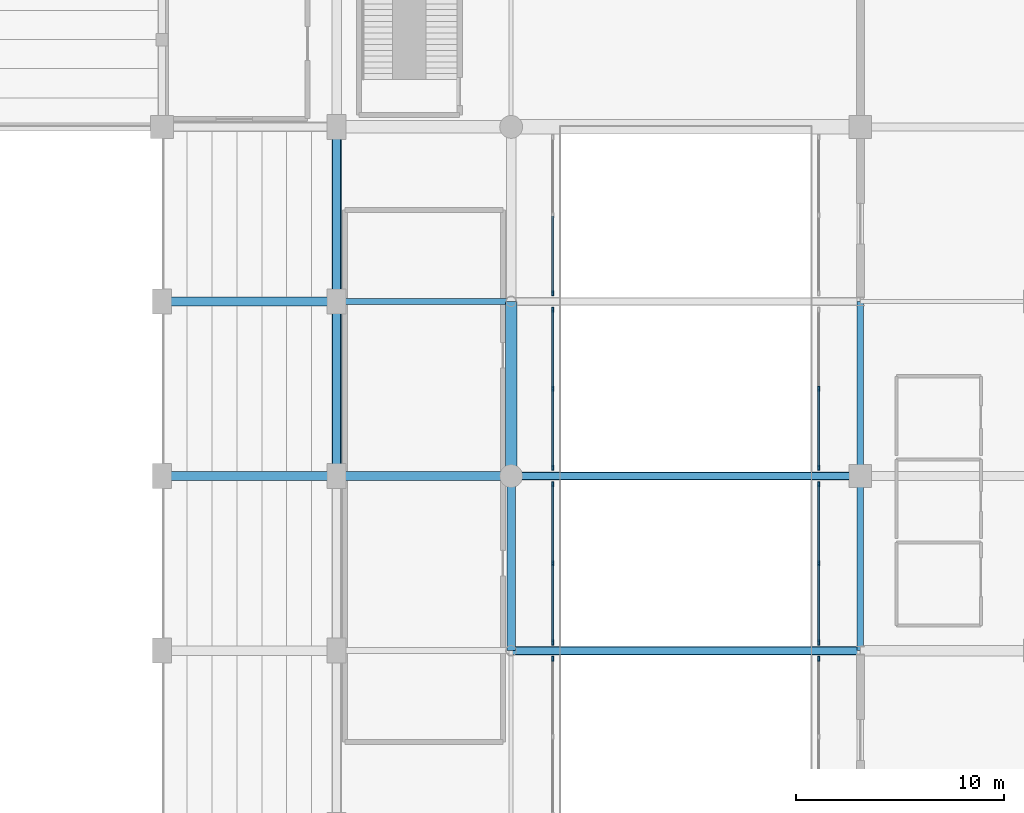
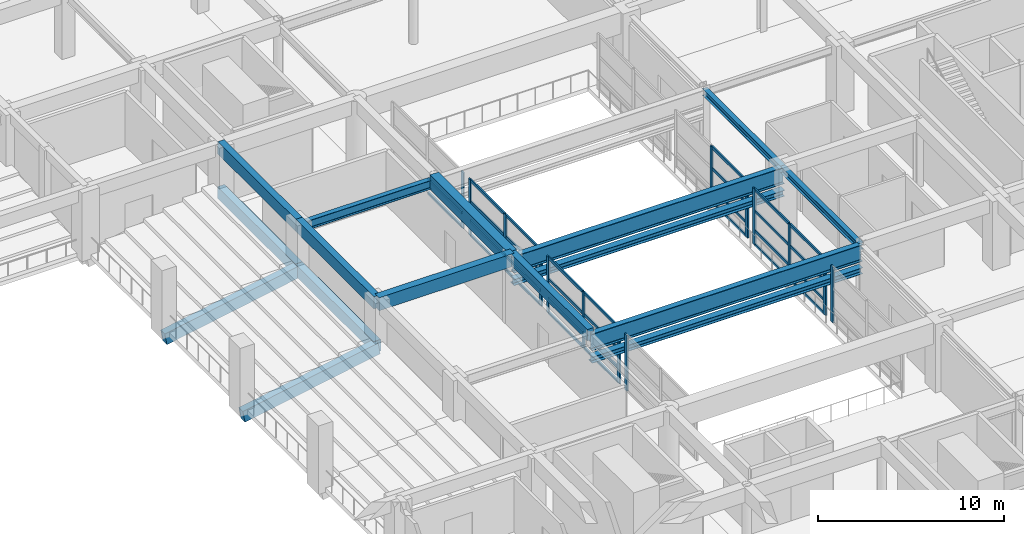
# One storey, part 25 of 62: 46 members, 14 beams, 7 elements without a shape of their own.
"""IFC4 building model written with IfcOpenShell, lengths in metres."""

from ifc_helpers import new_model, si_unit, direction, frame, origin, origin_2d, place, context, subcontext, project, spatial, rectangle, i_section, extrude, material, material_profile, profile_set, type_object, element, aggregate, save


model = new_model("IFC4")

# Units and contexts
model_context = context("Model", 3, precision=1e-05, world=origin(), true_north=direction((0.0, 1.0)))
body_context = subcontext(model_context, "Body", "Model", "MODEL_VIEW")
ifc_project = project(units=[si_unit("LENGTHUNIT", "METRE"), si_unit("AREAUNIT", "SQUARE_METRE"), si_unit("VOLUMEUNIT", "CUBIC_METRE"), si_unit("PLANEANGLEUNIT", "RADIAN"), si_unit("MASSUNIT", "GRAM", prefix="KILO")], contexts=[model_context])

# Site, building, storey
site_placement = place(None, origin())
site = spatial("IfcSite", under=ifc_project, at=site_placement, CompositionType="ELEMENT")
building_placement = place(site_placement, origin())
building = spatial("IfcBuilding", under=site, at=building_placement, Name="Xuanlan Plaza Opera House", CompositionType="ELEMENT")
storey_placement = place(building_placement, frame((0.0, 0.0, 14.39990234375)))
storey = spatial("IfcBuildingStorey", under=building, at=storey_placement, Name="L03", CompositionType="ELEMENT", Elevation=14.39990234375)

# Curtain wall, member
ifc_material_1 = material(Name="Anodised Aluminium 6063-T6 and Low-E Glass", Category="aluminium")
curtain_wall_type = type_object("IfcCurtainWallType", Name="ENV-CW-CW-06", PredefinedType="USERDEFINED", material=ifc_material_1)
curtain_wall_1_placement = place(storey_placement, origin())
curtain_wall_1 = element("IfcCurtainWall", 1, at=curtain_wall_1_placement, inside=storey, type_object=curtain_wall_type, Name="Acoustic Glazed Wall ATR-L03-11", ObjectType="ACOUSTIC GLAZED WALL", PredefinedType="USERDEFINED")
ifc_material_2 = material(Name="Anodised Aluminium 6063-T6", Category="aluminium")
ifc_material_profile_1 = material_profile(ifc_material_2, rectangle(XDim=0.090087890625, YDim=0.25, at=origin_2d()), Name="ALU-M 90x250")
ifc_profile_set_1 = profile_set([ifc_material_profile_1], Name="Anodised Aluminium 6063-T6")
member_type_1 = type_object("IfcMemberType", Name="ENV-CWM-05", PredefinedType="MULLION", material=ifc_profile_set_1)
member_1_placement = place(storey_placement, frame((111.199951171875, 50.0048828125, 0.0), z_axis=(0.0, 0.0, 1.0), x_axis=(-1.0, 0.0, 0.0)))
member_1 = element("IfcMember", 2, at=member_1_placement, type_object=member_type_1, Name="CW-06 mullion 3", PredefinedType="MULLION", context=body_context, shape_type="SweptSolid", body=[
    extrude(rectangle(XDim=0.090087890625, YDim=0.25, at=origin_2d()), origin(), (0.0, 0.0, 1.0), 3.68017578125),
])
aggregate(curtain_wall_1, [member_1])

# Curtain wall, members
curtain_wall_2_placement = place(storey_placement, origin())
curtain_wall_2 = element("IfcCurtainWall", 3, at=curtain_wall_2_placement, inside=storey, type_object=curtain_wall_type, Name="Acoustic Glazed Wall ATR-L03-12", ObjectType="ACOUSTIC GLAZED WALL", PredefinedType="USERDEFINED")
member_2_placement = place(storey_placement, frame((111.199951171875, 50.794921875, 0.0), z_axis=(0.0, 0.0, 1.0), x_axis=(-1.0, 0.0, 0.0)))
member_2 = element("IfcMember", 4, at=member_2_placement, type_object=member_type_1, Name="CW-06 mullion 1", PredefinedType="MULLION", context=body_context, shape_type="SweptSolid", body=[
    extrude(rectangle(XDim=0.090087890625, YDim=0.25, at=origin_2d()), origin(), (0.0, 0.0, 1.0), 3.68017578125),
])
member_3_placement = place(storey_placement, frame((111.199951171875, 54.60009765625, 0.0), z_axis=(0.0, 0.0, 1.0), x_axis=(-1.0, 0.0, 0.0)))
member_3 = element("IfcMember", 5, at=member_3_placement, type_object=member_type_1, Name="CW-06 mullion 2", PredefinedType="MULLION", context=body_context, shape_type="SweptSolid", body=[
    extrude(rectangle(XDim=0.090087890625, YDim=0.25, at=origin_2d()), origin(), (0.0, 0.0, 1.0), 3.68017578125),
])
member_4_placement = place(storey_placement, frame((111.199951171875, 58.405029296875, 0.0), z_axis=(0.0, 0.0, 1.0), x_axis=(-1.0, 0.0, 0.0)))
member_4 = element("IfcMember", 6, at=member_4_placement, type_object=member_type_1, Name="CW-06 mullion 3", PredefinedType="MULLION", context=body_context, shape_type="SweptSolid", body=[
    extrude(rectangle(XDim=0.090087890625, YDim=0.25, at=origin_2d()), origin(), (0.0, 0.0, 1.0), 3.68017578125),
])

curtain_wall_3_placement = place(storey_placement, origin())
curtain_wall_3 = element("IfcCurtainWall", 7, at=curtain_wall_3_placement, inside=storey, type_object=curtain_wall_type, Name="Acoustic Glazed Wall ATR-L03-13", ObjectType="ACOUSTIC GLAZED WALL", PredefinedType="USERDEFINED")
member_5_placement = place(storey_placement, frame((111.199951171875, 59.195068359375, 0.0), z_axis=(0.0, 0.0, 1.0), x_axis=(-1.0, 0.0, 0.0)))
member_5 = element("IfcMember", 8, at=member_5_placement, type_object=member_type_1, Name="CW-06 mullion 1", PredefinedType="MULLION", context=body_context, shape_type="SweptSolid", body=[
    extrude(rectangle(XDim=0.090087890625, YDim=0.25, at=origin_2d()), origin(), (0.0, 0.0, 1.0), 3.68017578125),
])
member_6_placement = place(storey_placement, frame((111.199951171875, 63.0, 0.0), z_axis=(0.0, 0.0, 1.0), x_axis=(-1.0, 0.0, 0.0)))
member_6 = element("IfcMember", 9, at=member_6_placement, type_object=member_type_1, Name="CW-06 mullion 2", PredefinedType="MULLION", context=body_context, shape_type="SweptSolid", body=[
    extrude(rectangle(XDim=0.090087890625, YDim=0.25, at=origin_2d()), origin(), (0.0, 0.0, 1.0), 3.68017578125),
])
member_7_placement = place(storey_placement, frame((111.199951171875, 66.804931640625, 0.0), z_axis=(0.0, 0.0, 1.0), x_axis=(-1.0, 0.0, 0.0)))
member_7 = element("IfcMember", 10, at=member_7_placement, type_object=member_type_1, Name="CW-06 mullion 3", PredefinedType="MULLION", context=body_context, shape_type="SweptSolid", body=[
    extrude(rectangle(XDim=0.090087890625, YDim=0.25, at=origin_2d()), origin(), (0.0, 0.0, 1.0), 3.68017578125),
])

# Curtain wall, member
curtain_wall_4_placement = place(storey_placement, origin())
curtain_wall_4 = element("IfcCurtainWall", 11, at=curtain_wall_4_placement, inside=storey, type_object=curtain_wall_type, Name="Acoustic Glazed Wall ATR-L03-14", ObjectType="ACOUSTIC GLAZED WALL", PredefinedType="USERDEFINED")
member_8_placement = place(storey_placement, frame((111.199951171875, 67.594970703125, 0.0), z_axis=(0.0, 0.0, 1.0), x_axis=(-1.0, 0.0, 0.0)))
member_8 = element("IfcMember", 12, at=member_8_placement, type_object=member_type_1, Name="CW-06 mullion 1", PredefinedType="MULLION", context=body_context, shape_type="SweptSolid", body=[
    extrude(rectangle(XDim=0.090087890625, YDim=0.25, at=origin_2d()), origin(), (0.0, 0.0, 1.0), 3.68017578125),
])

curtain_wall_5_placement = place(storey_placement, origin())
curtain_wall_5 = element("IfcCurtainWall", 13, at=curtain_wall_5_placement, inside=storey, type_object=curtain_wall_type, Name="Acoustic Glazed Wall ATR-L03-21", ObjectType="ACOUSTIC GLAZED WALL", PredefinedType="USERDEFINED")
member_9_placement = place(storey_placement, frame((124.0, 50.0048828125, 0.0), z_axis=(0.0, 0.0, 1.0), x_axis=(-1.0, 0.0, 0.0)))
member_9 = element("IfcMember", 14, at=member_9_placement, type_object=member_type_1, Name="CW-06 mullion 3", PredefinedType="MULLION", context=body_context, shape_type="SweptSolid", body=[
    extrude(rectangle(XDim=0.090087890625, YDim=0.25, at=origin_2d()), origin(), (0.0, 0.0, 1.0), 3.68017578125),
])
aggregate(curtain_wall_5, [member_9])

# Curtain wall, members
curtain_wall_6_placement = place(storey_placement, origin())
curtain_wall_6 = element("IfcCurtainWall", 15, at=curtain_wall_6_placement, inside=storey, type_object=curtain_wall_type, Name="Acoustic Glazed Wall ATR-L03-22", ObjectType="ACOUSTIC GLAZED WALL", PredefinedType="USERDEFINED")
member_10_placement = place(storey_placement, frame((124.0, 50.794921875, 0.0), z_axis=(0.0, 0.0, 1.0), x_axis=(-1.0, 0.0, 0.0)))
member_10 = element("IfcMember", 16, at=member_10_placement, type_object=member_type_1, Name="CW-06 mullion 1", PredefinedType="MULLION", context=body_context, shape_type="SweptSolid", body=[
    extrude(rectangle(XDim=0.090087890625, YDim=0.25, at=origin_2d()), origin(), (0.0, 0.0, 1.0), 3.68017578125),
])
member_11_placement = place(storey_placement, frame((124.0, 54.60009765625, 0.0), z_axis=(0.0, 0.0, 1.0), x_axis=(-1.0, 0.0, 0.0)))
member_11 = element("IfcMember", 17, at=member_11_placement, type_object=member_type_1, Name="CW-06 mullion 2", PredefinedType="MULLION", context=body_context, shape_type="SweptSolid", body=[
    extrude(rectangle(XDim=0.090087890625, YDim=0.25, at=origin_2d()), origin(), (0.0, 0.0, 1.0), 3.68017578125),
])
member_12_placement = place(storey_placement, frame((124.0, 58.405029296875, 0.0), z_axis=(0.0, 0.0, 1.0), x_axis=(-1.0, 0.0, 0.0)))
member_12 = element("IfcMember", 18, at=member_12_placement, type_object=member_type_1, Name="CW-06 mullion 3", PredefinedType="MULLION", context=body_context, shape_type="SweptSolid", body=[
    extrude(rectangle(XDim=0.090087890625, YDim=0.25, at=origin_2d()), origin(), (0.0, 0.0, 1.0), 3.68017578125),
])

curtain_wall_7_placement = place(storey_placement, origin())
curtain_wall_7 = element("IfcCurtainWall", 19, at=curtain_wall_7_placement, inside=storey, type_object=curtain_wall_type, Name="Acoustic Glazed Wall ATR-L03-23", ObjectType="ACOUSTIC GLAZED WALL", PredefinedType="USERDEFINED")
member_13_placement = place(storey_placement, frame((124.0, 59.195068359375, 0.0), z_axis=(0.0, 0.0, 1.0), x_axis=(-1.0, 0.0, 0.0)))
member_13 = element("IfcMember", 20, at=member_13_placement, type_object=member_type_1, Name="CW-06 mullion 1", PredefinedType="MULLION", context=body_context, shape_type="SweptSolid", body=[
    extrude(rectangle(XDim=0.090087890625, YDim=0.25, at=origin_2d()), origin(), (0.0, 0.0, 1.0), 3.68017578125),
])
member_14_placement = place(storey_placement, frame((124.0, 63.0, 0.0), z_axis=(0.0, 0.0, 1.0), x_axis=(-1.0, 0.0, 0.0)))
member_14 = element("IfcMember", 21, at=member_14_placement, type_object=member_type_1, Name="CW-06 mullion 2", PredefinedType="MULLION", context=body_context, shape_type="SweptSolid", body=[
    extrude(rectangle(XDim=0.090087890625, YDim=0.25, at=origin_2d()), origin(), (0.0, 0.0, 1.0), 3.68017578125),
])

# Member
ifc_material_profile_2 = material_profile(ifc_material_2, rectangle(XDim=0.090087890625, YDim=0.179931640625, at=origin_2d()), Name="ALU-T 90x180")
ifc_profile_set_2 = profile_set([ifc_material_profile_2], Name="Anodised Aluminium 6063-T6")
member_type_2 = type_object("IfcMemberType", Name="ENV-CWT-05", PredefinedType="USERDEFINED", material=ifc_profile_set_2)
member_15_placement = place(storey_placement, frame((111.199951171875, 50.840087890625, 0.045166015625), z_axis=(0.0, 1.0, 0.0), x_axis=(-1.0, 0.0, 0.0)))
member_15 = element("IfcMember", 22, at=member_15_placement, type_object=member_type_2, Name="CW-06 transom 1.1", ObjectType="TRANSOM", PredefinedType="USERDEFINED", context=body_context, shape_type="SweptSolid", body=[
    extrude(rectangle(XDim=0.090087890625, YDim=0.179931640625, at=origin_2d()), origin(), (0.0, 0.0, 1.0), 3.71484375),
])

member_16_placement = place(storey_placement, frame((111.199951171875, 50.840087890625, 0.9501953125), z_axis=(0.0, 1.0, 0.0), x_axis=(-1.0, 0.0, 0.0)))
member_16 = element("IfcMember", 23, at=member_16_placement, type_object=member_type_2, Name="CW-06 transom 1.2", ObjectType="TRANSOM", PredefinedType="USERDEFINED", context=body_context, shape_type="SweptSolid", body=[
    extrude(rectangle(XDim=0.090087890625, YDim=0.179931640625, at=origin_2d()), origin(), (0.0, 0.0, 1.0), 3.71484375),
])

member_17_placement = place(storey_placement, frame((111.199951171875, 50.840087890625, 2.25), z_axis=(0.0, 1.0, 0.0), x_axis=(-1.0, 0.0, 0.0)))
member_17 = element("IfcMember", 24, at=member_17_placement, type_object=member_type_2, Name="CW-06 transom 1.3", ObjectType="TRANSOM", PredefinedType="USERDEFINED", context=body_context, shape_type="SweptSolid", body=[
    extrude(rectangle(XDim=0.090087890625, YDim=0.179931640625, at=origin_2d()), origin(), (0.0, 0.0, 1.0), 3.71484375),
])

member_18_placement = place(storey_placement, frame((111.199951171875, 50.840087890625, 3.635009765625), z_axis=(0.0, 1.0, 0.0), x_axis=(-1.0, 0.0, 0.0)))
member_18 = element("IfcMember", 25, at=member_18_placement, type_object=member_type_2, Name="CW-06 transom 1.4", ObjectType="TRANSOM", PredefinedType="USERDEFINED", context=body_context, shape_type="SweptSolid", body=[
    extrude(rectangle(XDim=0.090087890625, YDim=0.179931640625, at=origin_2d()), origin(), (0.0, 0.0, 1.0), 3.71484375),
])

member_19_placement = place(storey_placement, frame((111.199951171875, 54.64501953125, 0.045166015625), z_axis=(0.0, 1.0, 0.0), x_axis=(-1.0, 0.0, 0.0)))
member_19 = element("IfcMember", 26, at=member_19_placement, type_object=member_type_2, Name="CW-06 transom 2.1", ObjectType="TRANSOM", PredefinedType="USERDEFINED", context=body_context, shape_type="SweptSolid", body=[
    extrude(rectangle(XDim=0.090087890625, YDim=0.179931640625, at=origin_2d()), origin(), (0.0, 0.0, 1.0), 3.715087890625),
])

member_20_placement = place(storey_placement, frame((111.199951171875, 54.64501953125, 0.9501953125), z_axis=(0.0, 1.0, 0.0), x_axis=(-1.0, 0.0, 0.0)))
member_20 = element("IfcMember", 27, at=member_20_placement, type_object=member_type_2, Name="CW-06 transom 2.2", ObjectType="TRANSOM", PredefinedType="USERDEFINED", context=body_context, shape_type="SweptSolid", body=[
    extrude(rectangle(XDim=0.090087890625, YDim=0.179931640625, at=origin_2d()), origin(), (0.0, 0.0, 1.0), 3.715087890625),
])

member_21_placement = place(storey_placement, frame((111.199951171875, 54.64501953125, 2.25), z_axis=(0.0, 1.0, 0.0), x_axis=(-1.0, 0.0, 0.0)))
member_21 = element("IfcMember", 28, at=member_21_placement, type_object=member_type_2, Name="CW-06 transom 2.3", ObjectType="TRANSOM", PredefinedType="USERDEFINED", context=body_context, shape_type="SweptSolid", body=[
    extrude(rectangle(XDim=0.090087890625, YDim=0.179931640625, at=origin_2d()), origin(), (0.0, 0.0, 1.0), 3.715087890625),
])

member_22_placement = place(storey_placement, frame((111.199951171875, 54.64501953125, 3.635009765625), z_axis=(0.0, 1.0, 0.0), x_axis=(-1.0, 0.0, 0.0)))
member_22 = element("IfcMember", 29, at=member_22_placement, type_object=member_type_2, Name="CW-06 transom 2.4", ObjectType="TRANSOM", PredefinedType="USERDEFINED", context=body_context, shape_type="SweptSolid", body=[
    extrude(rectangle(XDim=0.090087890625, YDim=0.179931640625, at=origin_2d()), origin(), (0.0, 0.0, 1.0), 3.715087890625),
])

aggregate(curtain_wall_2, [member_2, member_3, member_4, member_15, member_16, member_17, member_18, member_19, member_20, member_21, member_22])

member_23_placement = place(storey_placement, frame((111.199951171875, 59.239990234375, 0.045166015625), z_axis=(0.0, 1.0, 0.0), x_axis=(-1.0, 0.0, 0.0)))
member_23 = element("IfcMember", 30, at=member_23_placement, type_object=member_type_2, Name="CW-06 transom 1.1", ObjectType="TRANSOM", PredefinedType="USERDEFINED", context=body_context, shape_type="SweptSolid", body=[
    extrude(rectangle(XDim=0.090087890625, YDim=0.179931640625, at=origin_2d()), origin(), (0.0, 0.0, 1.0), 3.715087890625),
])

member_24_placement = place(storey_placement, frame((111.199951171875, 59.239990234375, 0.9501953125), z_axis=(0.0, 1.0, 0.0), x_axis=(-1.0, 0.0, 0.0)))
member_24 = element("IfcMember", 31, at=member_24_placement, type_object=member_type_2, Name="CW-06 transom 1.2", ObjectType="TRANSOM", PredefinedType="USERDEFINED", context=body_context, shape_type="SweptSolid", body=[
    extrude(rectangle(XDim=0.090087890625, YDim=0.179931640625, at=origin_2d()), origin(), (0.0, 0.0, 1.0), 3.715087890625),
])

member_25_placement = place(storey_placement, frame((111.199951171875, 59.239990234375, 2.25), z_axis=(0.0, 1.0, 0.0), x_axis=(-1.0, 0.0, 0.0)))
member_25 = element("IfcMember", 32, at=member_25_placement, type_object=member_type_2, Name="CW-06 transom 1.3", ObjectType="TRANSOM", PredefinedType="USERDEFINED", context=body_context, shape_type="SweptSolid", body=[
    extrude(rectangle(XDim=0.090087890625, YDim=0.179931640625, at=origin_2d()), origin(), (0.0, 0.0, 1.0), 3.715087890625),
])

member_26_placement = place(storey_placement, frame((111.199951171875, 59.239990234375, 3.635009765625), z_axis=(0.0, 1.0, 0.0), x_axis=(-1.0, 0.0, 0.0)))
member_26 = element("IfcMember", 33, at=member_26_placement, type_object=member_type_2, Name="CW-06 transom 1.4", ObjectType="TRANSOM", PredefinedType="USERDEFINED", context=body_context, shape_type="SweptSolid", body=[
    extrude(rectangle(XDim=0.090087890625, YDim=0.179931640625, at=origin_2d()), origin(), (0.0, 0.0, 1.0), 3.715087890625),
])

member_27_placement = place(storey_placement, frame((111.199951171875, 63.044921875, 0.045166015625), z_axis=(0.0, 1.0, 0.0), x_axis=(-1.0, 0.0, 0.0)))
member_27 = element("IfcMember", 34, at=member_27_placement, type_object=member_type_2, Name="CW-06 transom 2.1", ObjectType="TRANSOM", PredefinedType="USERDEFINED", context=body_context, shape_type="SweptSolid", body=[
    extrude(rectangle(XDim=0.090087890625, YDim=0.179931640625, at=origin_2d()), origin(), (0.0, 0.0, 1.0), 3.715087890625),
])

member_28_placement = place(storey_placement, frame((111.199951171875, 63.044921875, 0.9501953125), z_axis=(0.0, 1.0, 0.0), x_axis=(-1.0, 0.0, 0.0)))
member_28 = element("IfcMember", 35, at=member_28_placement, type_object=member_type_2, Name="CW-06 transom 2.2", ObjectType="TRANSOM", PredefinedType="USERDEFINED", context=body_context, shape_type="SweptSolid", body=[
    extrude(rectangle(XDim=0.090087890625, YDim=0.179931640625, at=origin_2d()), origin(), (0.0, 0.0, 1.0), 3.715087890625),
])

member_29_placement = place(storey_placement, frame((111.199951171875, 63.044921875, 2.25), z_axis=(0.0, 1.0, 0.0), x_axis=(-1.0, 0.0, 0.0)))
member_29 = element("IfcMember", 36, at=member_29_placement, type_object=member_type_2, Name="CW-06 transom 2.3", ObjectType="TRANSOM", PredefinedType="USERDEFINED", context=body_context, shape_type="SweptSolid", body=[
    extrude(rectangle(XDim=0.090087890625, YDim=0.179931640625, at=origin_2d()), origin(), (0.0, 0.0, 1.0), 3.715087890625),
])

member_30_placement = place(storey_placement, frame((111.199951171875, 63.044921875, 3.635009765625), z_axis=(0.0, 1.0, 0.0), x_axis=(-1.0, 0.0, 0.0)))
member_30 = element("IfcMember", 37, at=member_30_placement, type_object=member_type_2, Name="CW-06 transom 2.4", ObjectType="TRANSOM", PredefinedType="USERDEFINED", context=body_context, shape_type="SweptSolid", body=[
    extrude(rectangle(XDim=0.090087890625, YDim=0.179931640625, at=origin_2d()), origin(), (0.0, 0.0, 1.0), 3.715087890625),
])

aggregate(curtain_wall_3, [member_5, member_6, member_7, member_23, member_24, member_25, member_26, member_27, member_28, member_29, member_30])

member_31_placement = place(storey_placement, frame((111.199951171875, 67.639892578125, 0.045166015625), z_axis=(0.0, 1.0, 0.0), x_axis=(-1.0, 0.0, 0.0)))
member_31 = element("IfcMember", 38, at=member_31_placement, type_object=member_type_2, Name="CW-06 transom 1.1", ObjectType="TRANSOM", PredefinedType="USERDEFINED", context=body_context, shape_type="SweptSolid", body=[
    extrude(rectangle(XDim=0.090087890625, YDim=0.179931640625, at=origin_2d()), origin(), (0.0, 0.0, 1.0), 3.6650390625),
])

member_32_placement = place(storey_placement, frame((111.199951171875, 67.639892578125, 0.9501953125), z_axis=(0.0, 1.0, 0.0), x_axis=(-1.0, 0.0, 0.0)))
member_32 = element("IfcMember", 39, at=member_32_placement, type_object=member_type_2, Name="CW-06 transom 1.2", ObjectType="TRANSOM", PredefinedType="USERDEFINED", context=body_context, shape_type="SweptSolid", body=[
    extrude(rectangle(XDim=0.090087890625, YDim=0.179931640625, at=origin_2d()), origin(), (0.0, 0.0, 1.0), 3.6650390625),
])

aggregate(curtain_wall_4, [member_8, member_31, member_32])

member_33_placement = place(storey_placement, frame((124.0, 50.840087890625, 0.045166015625), z_axis=(0.0, 1.0, 0.0), x_axis=(-1.0, 0.0, 0.0)))
member_33 = element("IfcMember", 40, at=member_33_placement, type_object=member_type_2, Name="CW-06 transom 1.1", ObjectType="TRANSOM", PredefinedType="USERDEFINED", context=body_context, shape_type="SweptSolid", body=[
    extrude(rectangle(XDim=0.090087890625, YDim=0.179931640625, at=origin_2d()), origin(), (0.0, 0.0, 1.0), 3.71484375),
])

member_34_placement = place(storey_placement, frame((124.0, 50.840087890625, 0.9501953125), z_axis=(0.0, 1.0, 0.0), x_axis=(-1.0, 0.0, 0.0)))
member_34 = element("IfcMember", 41, at=member_34_placement, type_object=member_type_2, Name="CW-06 transom 1.2", ObjectType="TRANSOM", PredefinedType="USERDEFINED", context=body_context, shape_type="SweptSolid", body=[
    extrude(rectangle(XDim=0.090087890625, YDim=0.179931640625, at=origin_2d()), origin(), (0.0, 0.0, 1.0), 3.71484375),
])

member_35_placement = place(storey_placement, frame((124.0, 50.840087890625, 2.25), z_axis=(0.0, 1.0, 0.0), x_axis=(-1.0, 0.0, 0.0)))
member_35 = element("IfcMember", 42, at=member_35_placement, type_object=member_type_2, Name="CW-06 transom 1.3", ObjectType="TRANSOM", PredefinedType="USERDEFINED", context=body_context, shape_type="SweptSolid", body=[
    extrude(rectangle(XDim=0.090087890625, YDim=0.179931640625, at=origin_2d()), origin(), (0.0, 0.0, 1.0), 3.71484375),
])

member_36_placement = place(storey_placement, frame((124.0, 50.840087890625, 3.635009765625), z_axis=(0.0, 1.0, 0.0), x_axis=(-1.0, 0.0, 0.0)))
member_36 = element("IfcMember", 43, at=member_36_placement, type_object=member_type_2, Name="CW-06 transom 1.4", ObjectType="TRANSOM", PredefinedType="USERDEFINED", context=body_context, shape_type="SweptSolid", body=[
    extrude(rectangle(XDim=0.090087890625, YDim=0.179931640625, at=origin_2d()), origin(), (0.0, 0.0, 1.0), 3.71484375),
])

member_37_placement = place(storey_placement, frame((124.0, 54.64501953125, 0.045166015625), z_axis=(0.0, 1.0, 0.0), x_axis=(-1.0, 0.0, 0.0)))
member_37 = element("IfcMember", 44, at=member_37_placement, type_object=member_type_2, Name="CW-06 transom 2.1", ObjectType="TRANSOM", PredefinedType="USERDEFINED", context=body_context, shape_type="SweptSolid", body=[
    extrude(rectangle(XDim=0.090087890625, YDim=0.179931640625, at=origin_2d()), origin(), (0.0, 0.0, 1.0), 3.715087890625),
])

member_38_placement = place(storey_placement, frame((124.0, 54.64501953125, 0.9501953125), z_axis=(0.0, 1.0, 0.0), x_axis=(-1.0, 0.0, 0.0)))
member_38 = element("IfcMember", 45, at=member_38_placement, type_object=member_type_2, Name="CW-06 transom 2.2", ObjectType="TRANSOM", PredefinedType="USERDEFINED", context=body_context, shape_type="SweptSolid", body=[
    extrude(rectangle(XDim=0.090087890625, YDim=0.179931640625, at=origin_2d()), origin(), (0.0, 0.0, 1.0), 3.715087890625),
])

member_39_placement = place(storey_placement, frame((124.0, 54.64501953125, 2.25), z_axis=(0.0, 1.0, 0.0), x_axis=(-1.0, 0.0, 0.0)))
member_39 = element("IfcMember", 46, at=member_39_placement, type_object=member_type_2, Name="CW-06 transom 2.3", ObjectType="TRANSOM", PredefinedType="USERDEFINED", context=body_context, shape_type="SweptSolid", body=[
    extrude(rectangle(XDim=0.090087890625, YDim=0.179931640625, at=origin_2d()), origin(), (0.0, 0.0, 1.0), 3.715087890625),
])

member_40_placement = place(storey_placement, frame((124.0, 54.64501953125, 3.635009765625), z_axis=(0.0, 1.0, 0.0), x_axis=(-1.0, 0.0, 0.0)))
member_40 = element("IfcMember", 47, at=member_40_placement, type_object=member_type_2, Name="CW-06 transom 2.4", ObjectType="TRANSOM", PredefinedType="USERDEFINED", context=body_context, shape_type="SweptSolid", body=[
    extrude(rectangle(XDim=0.090087890625, YDim=0.179931640625, at=origin_2d()), origin(), (0.0, 0.0, 1.0), 3.715087890625),
])

aggregate(curtain_wall_6, [member_10, member_11, member_12, member_33, member_34, member_35, member_36, member_37, member_38, member_39, member_40])

member_41_placement = place(storey_placement, frame((124.0, 59.239990234375, 0.045166015625), z_axis=(0.0, 1.0, 0.0), x_axis=(-1.0, 0.0, 0.0)))
member_41 = element("IfcMember", 48, at=member_41_placement, type_object=member_type_2, Name="CW-06 transom 1.1", ObjectType="TRANSOM", PredefinedType="USERDEFINED", context=body_context, shape_type="SweptSolid", body=[
    extrude(rectangle(XDim=0.090087890625, YDim=0.179931640625, at=origin_2d()), origin(), (0.0, 0.0, 1.0), 3.715087890625),
])

member_42_placement = place(storey_placement, frame((124.0, 59.239990234375, 0.9501953125), z_axis=(0.0, 1.0, 0.0), x_axis=(-1.0, 0.0, 0.0)))
member_42 = element("IfcMember", 49, at=member_42_placement, type_object=member_type_2, Name="CW-06 transom 1.2", ObjectType="TRANSOM", PredefinedType="USERDEFINED", context=body_context, shape_type="SweptSolid", body=[
    extrude(rectangle(XDim=0.090087890625, YDim=0.179931640625, at=origin_2d()), origin(), (0.0, 0.0, 1.0), 3.715087890625),
])

member_43_placement = place(storey_placement, frame((124.0, 59.239990234375, 2.25), z_axis=(0.0, 1.0, 0.0), x_axis=(-1.0, 0.0, 0.0)))
member_43 = element("IfcMember", 50, at=member_43_placement, type_object=member_type_2, Name="CW-06 transom 1.3", ObjectType="TRANSOM", PredefinedType="USERDEFINED", context=body_context, shape_type="SweptSolid", body=[
    extrude(rectangle(XDim=0.090087890625, YDim=0.179931640625, at=origin_2d()), origin(), (0.0, 0.0, 1.0), 3.715087890625),
])

member_44_placement = place(storey_placement, frame((124.0, 59.239990234375, 3.635009765625), z_axis=(0.0, 1.0, 0.0), x_axis=(-1.0, 0.0, 0.0)))
member_44 = element("IfcMember", 51, at=member_44_placement, type_object=member_type_2, Name="CW-06 transom 1.4", ObjectType="TRANSOM", PredefinedType="USERDEFINED", context=body_context, shape_type="SweptSolid", body=[
    extrude(rectangle(XDim=0.090087890625, YDim=0.179931640625, at=origin_2d()), origin(), (0.0, 0.0, 1.0), 3.715087890625),
])

aggregate(curtain_wall_7, [member_13, member_14, member_41, member_42, member_43, member_44])

# Beams
ifc_material_3 = material(Name="Concrete C50", Category="concrete")
ifc_material_profile_3 = material_profile(ifc_material_3, rectangle(XDim=0.550048828125, YDim=0.949951171875, at=origin_2d()), Name="RC-BM 550x950")
ifc_profile_set_3 = profile_set([ifc_material_profile_3], Name="Concrete C50")
beam_type_1 = type_object("IfcBeamType", Name="STR-BM-B-02", PredefinedType="BEAM", material=ifc_profile_set_3)
beam_1_placement = place(storey_placement, frame((109.199951171875, 58.800048828125, 4.025146484375), z_axis=(0.0, 1.0, 0.0), x_axis=(-1.0, 0.0, 0.0)))
element("IfcBeam", 52, at=beam_1_placement, inside=storey, type_object=beam_type_1, Name="Grid Beam Y L03 14/H-I", PredefinedType="BEAM", context=body_context, shape_type="SweptSolid", body=[
    extrude(rectangle(XDim=0.550048828125, YDim=0.949951171875, at=origin_2d()), origin(), (0.0, 0.0, 1.0), 8.39990234375),
])
ifc_material_4 = material(Name="Concrete C40", Category="concrete")
ifc_material_profile_4 = material_profile(ifc_material_4, rectangle(XDim=0.449951171875, YDim=0.85009765625, at=origin_2d()), Name="RC-BM 450x850")
ifc_profile_set_4 = profile_set([ifc_material_profile_4], Name="Concrete C40")
beam_type_2 = type_object("IfcBeamType", Name="STR-BM-B-04", PredefinedType="BEAM", material=ifc_profile_set_4)
beam_2_placement = place(storey_placement, frame((100.800048828125, 58.800048828125, 4.0751953125), z_axis=(1.0, 0.0, 0.0), x_axis=(0.0, 1.0, 0.0)))
element("IfcBeam", 53, at=beam_2_placement, inside=storey, type_object=beam_type_2, Name="Grid Beam X L03 13-14/H", PredefinedType="BEAM", context=body_context, shape_type="SweptSolid", body=[
    extrude(rectangle(XDim=0.449951171875, YDim=0.85009765625, at=origin_2d()), origin(), (0.0, 0.0, 1.0), 8.39990234375),
])
ifc_material_profile_5 = material_profile(ifc_material_4, rectangle(XDim=0.39990234375, YDim=0.75, at=origin_2d()), Name="RC-BM 400x750")
ifc_profile_set_5 = profile_set([ifc_material_profile_5], Name="Concrete C40")
beam_type_3 = type_object("IfcBeamType", Name="STR-BM-B-06", PredefinedType="BEAM", material=ifc_profile_set_5)
beam_3_placement = place(storey_placement, frame((109.199951171875, 50.39990234375, 4.125), z_axis=(0.0, 1.0, 0.0), x_axis=(-1.0, 0.0, 0.0)))
element("IfcBeam", 54, at=beam_3_placement, inside=storey, type_object=beam_type_3, Name="Grid Beam Y L03 14/G-H", PredefinedType="BEAM", context=body_context, shape_type="SweptSolid", body=[
    extrude(rectangle(XDim=0.39990234375, YDim=0.75, at=origin_2d()), origin(), (0.0, 0.0, 1.0), 8.400146484375),
])
ifc_material_5 = material(Name="Steel Q390B", Category="steel")
ifc_material_profile_6 = material_profile(ifc_material_5, i_section(OverallWidth=0.35009765625, OverallDepth=1.10009765625, WebThickness=0.01806640625, FlangeThickness=0.031982421875, FilletRadius=0.028076171875, at=origin_2d()), Name="HN 1100x350x18x32")
ifc_profile_set_6 = profile_set([ifc_material_profile_6], Name="Steel Q390B")
beam_type_4 = type_object("IfcBeamType", Name="STR-BM-LG-02", PredefinedType="BEAM", material=ifc_profile_set_6)
for number, where, z_axis, x_axis, name in (
    (55, (109.199951171875, 50.39990234375, 3.68505859375), (1.0, 0.0, 0.0), (0.0, 1.0, 0.0), "Grid Beam X L03 14-16/G"),
    (56, (109.199951171875, 58.800048828125, 3.68505859375), (1.0, 0.0, 0.0), (0.0, 1.0, 0.0), "Grid Beam X L03 14-16/H"),
):
    element("IfcBeam", number, at=place(storey_placement, frame(where, z_axis=z_axis, x_axis=x_axis)), inside=storey, type_object=beam_type_4, Name=name, PredefinedType="BEAM", context=body_context, shape_type="SweptSolid", body=[
        extrude(i_section(OverallWidth=0.35009765625, OverallDepth=1.10009765625, WebThickness=0.01806640625, FlangeThickness=0.031982421875, FilletRadius=0.028076171875, at=origin_2d()), origin(), (0.0, 0.0, 1.0), 16.800048828125),
    ])
ifc_material_profile_7 = material_profile(ifc_material_4, rectangle(XDim=0.449951171875, YDim=0.760009765625, at=origin_2d()), Name="RC-RKR 450x760")
ifc_profile_set_7 = profile_set([ifc_material_profile_7], Name="Concrete C40")
beam_type_5 = type_object("IfcBeamType", Name="STR-BM-RK-01", PredefinedType="BEAM", material=ifc_profile_set_7)
for number, where, z_axis, x_axis, name in (
    (57, (92.39990234375, 58.800048828125, -0.3798828125), (0.983188076512, 0.0, 0.182595745311), (0.0, 1.0, 0.0), "Auditorium Tier Raker Beam L03 Y58"),
    (58, (92.39990234375, 67.199951171875, -0.3798828125), (0.983188076512, 0.0, 0.182595745311), (0.0, 1.0, 0.0), "Auditorium Tier Raker Beam L03 Y67"),
):
    element("IfcBeam", number, at=place(storey_placement, frame(where, z_axis=z_axis, x_axis=x_axis)), inside=storey, type_object=beam_type_5, Name=name, PredefinedType="BEAM", context=body_context, shape_type="SweptSolid", body=[
        extrude(rectangle(XDim=0.449951171875, YDim=0.760009765625, at=origin_2d()), origin(), (0.0, 0.0, 1.0), 8.543701171875),
    ])
ifc_material_profile_8 = material_profile(ifc_material_4, rectangle(XDim=0.449951171875, YDim=0.760009765625, at=origin_2d()), Name="RC-RKR 450x760")
ifc_profile_set_8 = profile_set([ifc_material_profile_8], Name="Concrete C40")
beam_type_6 = type_object("IfcBeamType", Name="STR-BM-RKH-03", PredefinedType="BEAM", material=ifc_profile_set_8)
beam_4_placement = place(storey_placement, frame((100.800048828125, 58.800048828125, 1.18017578125), z_axis=(0.0, 1.0, 0.0), x_axis=(-1.0, 0.0, 0.0)))
element("IfcBeam", 59, at=beam_4_placement, inside=storey, type_object=beam_type_6, Name="Auditorium Tier Header Beam L03-3", PredefinedType="BEAM", context=body_context, shape_type="SweptSolid", body=[
    extrude(rectangle(XDim=0.449951171875, YDim=0.760009765625, at=origin_2d()), origin(), (0.0, 0.0, 1.0), 8.39990234375),
])
beam_5_placement = place(storey_placement, frame((100.800048828125, 67.199951171875, 1.18017578125), z_axis=(0.0, 1.0, 0.0), x_axis=(-1.0, 0.0, 0.0)))
element("IfcBeam", 60, at=beam_5_placement, inside=storey, type_object=beam_type_6, Name="Auditorium Tier Header Beam L03-4", PredefinedType="BEAM", context=body_context, shape_type="SweptSolid", body=[
    extrude(rectangle(XDim=0.449951171875, YDim=0.760009765625, at=origin_2d()), origin(), (0.0, 0.0, 1.0), 8.400146484375),
])
ifc_material_6 = material(Name="Steel Q355B", Category="steel")
ifc_material_profile_9 = material_profile(ifc_material_6, i_section(OverallWidth=0.300048828125, OverallDepth=0.587890625, WebThickness=0.011962890625, FlangeThickness=0.02001953125, FilletRadius=0.02392578125, at=origin_2d()), Name="HM 588x300x12x20")
ifc_profile_set_9 = profile_set([ifc_material_profile_9], Name="Steel Q355B")
beam_type_7 = type_object("IfcBeamType", Name="STR-BM-SB-06", PredefinedType="BEAM", material=ifc_profile_set_9)
beam_6_placement = place(storey_placement, frame((100.800048828125, 67.199951171875, 3.941162109375), z_axis=(1.0, 0.0, 0.0), x_axis=(0.0, 1.0, 0.0)))
element("IfcBeam", 61, at=beam_6_placement, inside=storey, type_object=beam_type_7, Name="Grid Beam X L03 13-14/I", PredefinedType="BEAM", context=body_context, shape_type="SweptSolid", body=[
    extrude(i_section(OverallWidth=0.300048828125, OverallDepth=0.587890625, WebThickness=0.011962890625, FlangeThickness=0.02001953125, FilletRadius=0.02392578125, at=origin_2d()), origin(), (0.0, 0.0, 1.0), 8.39990234375),
])
ifc_material_profile_10 = material_profile(ifc_material_6, i_section(OverallWidth=0.300048828125, OverallDepth=0.43994140625, WebThickness=0.010986328125, FlangeThickness=0.01806640625, FilletRadius=0.02001953125, at=origin_2d()), Name="HM 440x300x11x18")
ifc_profile_set_10 = profile_set([ifc_material_profile_10], Name="Steel Q355B")
beam_type_8 = type_object("IfcBeamType", Name="STR-BM-SB-08", PredefinedType="BEAM", material=ifc_profile_set_10)
beam_7_placement = place(storey_placement, frame((126.0, 50.39990234375, 4.01513671875), z_axis=(0.0, 1.0, 0.0), x_axis=(-1.0, 0.0, 0.0)))
element("IfcBeam", 62, at=beam_7_placement, inside=storey, type_object=beam_type_8, Name="Grid Beam Y L03 16/G-H", PredefinedType="BEAM", context=body_context, shape_type="SweptSolid", body=[
    extrude(i_section(OverallWidth=0.300048828125, OverallDepth=0.43994140625, WebThickness=0.010986328125, FlangeThickness=0.01806640625, FilletRadius=0.02001953125, at=origin_2d()), origin(), (0.0, 0.0, 1.0), 8.400146484375),
])
beam_8_placement = place(storey_placement, frame((126.0, 58.800048828125, 4.01513671875), z_axis=(0.0, 1.0, 0.0), x_axis=(-1.0, 0.0, 0.0)))
element("IfcBeam", 63, at=beam_8_placement, inside=storey, type_object=beam_type_8, Name="Grid Beam Y L03 16/H-I", PredefinedType="BEAM", context=body_context, shape_type="SweptSolid", body=[
    extrude(i_section(OverallWidth=0.300048828125, OverallDepth=0.43994140625, WebThickness=0.010986328125, FlangeThickness=0.01806640625, FilletRadius=0.02001953125, at=origin_2d()), origin(), (0.0, 0.0, 1.0), 8.39990234375),
])
ifc_material_profile_11 = material_profile(ifc_material_4, rectangle(XDim=0.39990234375, YDim=0.800048828125, at=origin_2d()), Name="RC-SPD 400x800")
ifc_profile_set_11 = profile_set([ifc_material_profile_11], Name="Concrete C40")
beam_type_9 = type_object("IfcBeamType", Name="STR-BM-SP-01", PredefinedType="SPANDREL", material=ifc_profile_set_11)
beam_9_placement = place(storey_placement, frame((100.800048828125, 58.800048828125, 4.10009765625), z_axis=(0.0, 1.0, 0.0), x_axis=(-1.0, 0.0, 0.0)))
element("IfcBeam", 64, at=beam_9_placement, inside=storey, type_object=beam_type_9, Name="Grid Beam Y L03 13/H-I", PredefinedType="SPANDREL", context=body_context, shape_type="SweptSolid", body=[
    extrude(rectangle(XDim=0.39990234375, YDim=0.800048828125, at=origin_2d()), origin(), (0.0, 0.0, 1.0), 8.39990234375),
])
beam_10_placement = place(storey_placement, frame((100.800048828125, 67.199951171875, 4.10009765625), z_axis=(0.0, 1.0, 0.0), x_axis=(-1.0, 0.0, 0.0)))
element("IfcBeam", 65, at=beam_10_placement, inside=storey, type_object=beam_type_9, Name="Grid Beam Y L03 13/I-J", PredefinedType="SPANDREL", context=body_context, shape_type="SweptSolid", body=[
    extrude(rectangle(XDim=0.39990234375, YDim=0.800048828125, at=origin_2d()), origin(), (0.0, 0.0, 1.0), 8.400146484375),
])

# Members
ifc_material_profile_12 = material_profile(ifc_material_5, i_section(OverallWidth=0.39990234375, OverallDepth=0.39990234375, WebThickness=0.012939453125, FlangeThickness=0.02099609375, FilletRadius=0.02197265625, at=origin_2d()), Name="HW 400x400x13x21")
ifc_profile_set_12 = profile_set([ifc_material_profile_12], Name="Steel Q390B")
member_type_3 = type_object("IfcMemberType", Name="STR-MEM-ATC-01", PredefinedType="CHORD", material=ifc_profile_set_12)
for number, where, z_axis, x_axis, name in (
    (66, (109.199951171875, 50.39990234375, 2.53515625), (1.0, 0.0, 0.0), (0.0, 1.0, 0.0), "Atrium Truss Bottom Chord L03 Grid G"),
    (67, (109.199951171875, 58.800048828125, 2.53515625), (1.0, 0.0, 0.0), (0.0, 1.0, 0.0), "Atrium Truss Bottom Chord L03 Grid H"),
):
    element("IfcMember", number, at=place(storey_placement, frame(where, z_axis=z_axis, x_axis=x_axis)), inside=storey, type_object=member_type_3, Name=name, PredefinedType="CHORD", context=body_context, shape_type="SweptSolid", body=[
        extrude(i_section(OverallWidth=0.39990234375, OverallDepth=0.39990234375, WebThickness=0.012939453125, FlangeThickness=0.02099609375, FilletRadius=0.02197265625, at=origin_2d()), origin(), (0.0, 0.0, 1.0), 16.800048828125),
    ])

save(model, "model.ifc")
